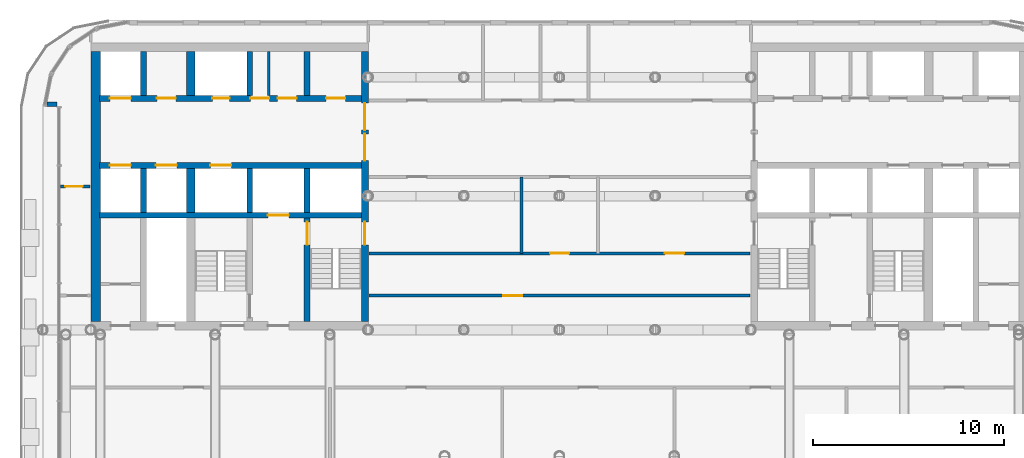
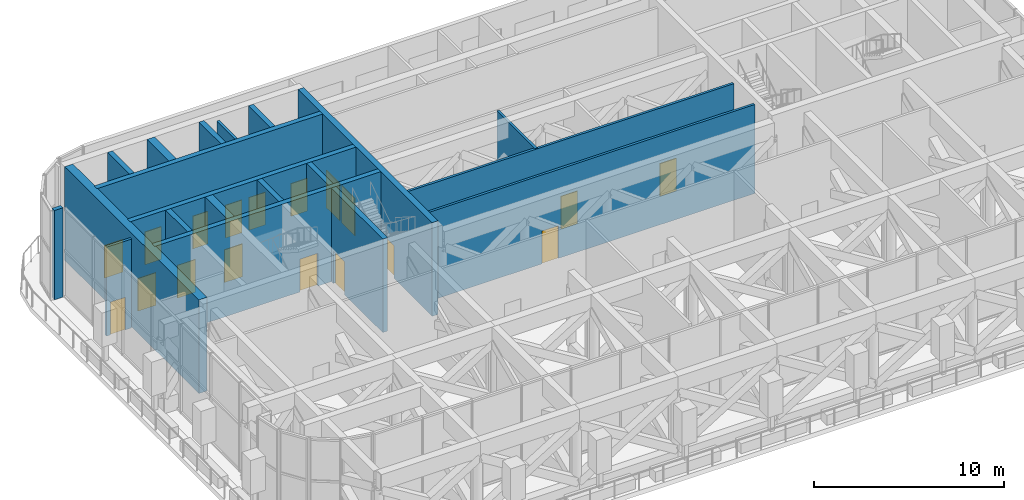
# One storey, part 12 of 20: 20 walls, 18 doors, 18 openings.
"""IFC4 building model written with IfcOpenShell, lengths in metres."""

from ifc_helpers import new_model, si_unit, direction, frame, frame_2d, origin, place, context, subcontext, project, spatial, rectangle, extrude, material, layer, layer_set, type_object, element, fill, save


model = new_model("IFC4")

# Units and contexts
model_context = context("Model", 3, precision=1e-05, world=origin(), true_north=direction((0.0, 1.0)))
body_context = subcontext(model_context, "Body", "Model", "MODEL_VIEW")
ifc_project = project(units=[si_unit("LENGTHUNIT", "METRE"), si_unit("AREAUNIT", "SQUARE_METRE"), si_unit("VOLUMEUNIT", "CUBIC_METRE"), si_unit("PLANEANGLEUNIT", "RADIAN"), si_unit("MASSUNIT", "GRAM", prefix="KILO")], contexts=[model_context])

# Site, building, storey
site_placement = place(None, origin())
site = spatial("IfcSite", under=ifc_project, at=site_placement, CompositionType="ELEMENT")
building_placement = place(site_placement, origin())
building = spatial("IfcBuilding", under=site, at=building_placement, Name="Torana Hotel and Residences", CompositionType="ELEMENT")
storey_placement = place(building_placement, frame((0.0, 0.0, 177.60009765625)))
storey = spatial("IfcBuildingStorey", under=building, at=storey_placement, Name="L46", CompositionType="ELEMENT", Elevation=177.60009765625)

# Wall, openings, doors
ifc_material_1 = material(Name="Concrete C70/85", Category="concrete")
ifc_layer_1 = layer(ifc_material_1, 0.300048828125)
ifc_layer_set_1 = layer_set([ifc_layer_1], Name="CORE WALL 300 C70/85")
wall_type_1 = type_object("IfcWallType", Name="CORE WALL 300 C70/85", PredefinedType="SHEAR", material=ifc_layer_set_1)
wall_1_placement = place(storey_placement, frame((-24.050048828125, -2.89990234375, 0.0), z_axis=(0.0, 0.0, 1.0), x_axis=(1.0, 0.0, 0.0)))
wall_1 = element("IfcWall", 1, at=wall_1_placement, inside=storey, type_object=wall_type_1, Name="Core wall W row-N", PredefinedType="SHEAR", context=body_context, shape_type="SweptSolid", body=[
    extrude(rectangle(XDim=13.699951171875, YDim=0.300048828125, at=frame_2d((6.85009765625, 0.0))), origin(), (0.0, 0.0, 1.0), 6.0),
])
opening_1_placement = place(wall_1_placement, frame((0.550048828125, 0.0, 0.0)))
opening_1 = element("IfcOpeningElement", 2, at=opening_1_placement, cuts=wall_1, Name="Opening LD", PredefinedType="OPENING", context=body_context, shape_type="SweptSolid", body=[
    extrude(rectangle(XDim=1.10009765625, YDim=2.10009765625, at=frame_2d((0.550048828125, 1.050048828125))), frame((0.0, 0.159912109375, 0.0), z_axis=(0.0, -1.0, 0.0), x_axis=(1.0, 0.0, 0.0)), (0.0, 0.0, 1.0), 0.320068359375),
])
opening_2_placement = place(wall_1_placement, frame((5.89990234375, 0.0, 0.0)))
opening_2 = element("IfcOpeningElement", 3, at=opening_2_placement, cuts=wall_1, Name="Opening L46-08", PredefinedType="OPENING", context=body_context, shape_type="SweptSolid", body=[
    extrude(rectangle(XDim=0.89990234375, YDim=2.10009765625, at=frame_2d((0.449951171875, 1.050048828125))), frame((0.0, 0.159912109375, 0.0), z_axis=(0.0, -1.0, 0.0), x_axis=(1.0, 0.0, 0.0)), (0.0, 0.0, 1.0), 0.320068359375),
])
opening_3_placement = place(wall_1_placement, frame((11.85009765625, 0.0, 0.0)))
opening_3 = element("IfcOpeningElement", 4, at=opening_3_placement, cuts=wall_1, Name="Opening L46-09", PredefinedType="OPENING", context=body_context, shape_type="SweptSolid", body=[
    extrude(rectangle(XDim=1.0, YDim=2.10009765625, at=frame_2d((0.5, 1.050048828125))), frame((0.0, 0.159912109375, 0.0), z_axis=(0.0, -1.0, 0.0), x_axis=(1.0, 0.0, 0.0)), (0.0, 0.0, 1.0), 0.320068359375),
])
opening_4_placement = place(wall_1_placement, frame((9.3125, 0.0, 0.0)))
opening_4 = element("IfcOpeningElement", 5, at=opening_4_placement, cuts=wall_1, Name="Opening L46-10", PredefinedType="OPENING", context=body_context, shape_type="SweptSolid", body=[
    extrude(rectangle(XDim=1.0, YDim=2.10009765625, at=frame_2d((0.5, 1.050048828125))), frame((0.0, 0.159912109375, 0.0), z_axis=(0.0, -1.0, 0.0), x_axis=(1.0, 0.0, 0.0)), (0.0, 0.0, 1.0), 0.320068359375),
])
opening_5_placement = place(wall_1_placement, frame((7.887451171875, 0.0, 0.0)))
opening_5 = element("IfcOpeningElement", 6, at=opening_5_placement, cuts=wall_1, Name="Opening L46-11", PredefinedType="OPENING", context=body_context, shape_type="SweptSolid", body=[
    extrude(rectangle(XDim=1.0, YDim=2.10009765625, at=frame_2d((0.5, 1.050048828125))), frame((0.0, 0.159912109375, 0.0), z_axis=(0.0, -1.0, 0.0), x_axis=(1.0, 0.0, 0.0)), (0.0, 0.0, 1.0), 0.320068359375),
])
opening_6_placement = place(wall_1_placement, frame((3.0, 0.0, 0.0)))
opening_6 = element("IfcOpeningElement", 7, at=opening_6_placement, cuts=wall_1, Name="Opening L46-12", PredefinedType="OPENING", context=body_context, shape_type="SweptSolid", body=[
    extrude(rectangle(XDim=1.0, YDim=2.10009765625, at=frame_2d((0.5, 1.050048828125))), frame((0.0, 0.159912109375, 0.0), z_axis=(0.0, -1.0, 0.0), x_axis=(1.0, 0.0, 0.0)), (0.0, 0.0, 1.0), 0.320068359375),
])
ifc_material_2 = material(Name="Steel S235", Category="steel")
door_type_1 = type_object("IfcDoorType", Name="CORE ROOM FIRE DOOR D14 1000x2100", OperationType="SINGLE_SWING_LEFT", PredefinedType="DOOR", material=ifc_material_2)
door_1_placement = place(opening_3_placement, origin())
door_1 = element("IfcDoor", 8, at=door_1_placement, inside=storey, type_object=door_type_1, Name="N0 door L46", OperationType="SINGLE_SWING_RIGHT", OverallHeight=2.10009765625, OverallWidth=1.0, PredefinedType="DOOR", context=body_context, shape_type="SweptSolid", body=[
    extrude(rectangle(XDim=1.0, YDim=2.10009765625, at=frame_2d((0.5, 1.050048828125))), frame((0.0, 0.02490234375, 0.0), z_axis=(0.0, -1.0, 0.0), x_axis=(1.0, 0.0, 0.0)), (0.0, 0.0, 1.0), 0.050048828125),
])
fill(opening_3, door_1)
door_2_placement = place(opening_4_placement, origin())
door_2 = element("IfcDoor", 9, at=door_2_placement, inside=storey, type_object=door_type_1, Name="N1A door L46", OperationType="SINGLE_SWING_RIGHT", OverallHeight=2.10009765625, OverallWidth=1.0, PredefinedType="DOOR", context=body_context, shape_type="SweptSolid", body=[
    extrude(rectangle(XDim=1.0, YDim=2.10009765625, at=frame_2d((0.5, 1.050048828125))), frame((0.0, 0.02490234375, 0.0), z_axis=(0.0, -1.0, 0.0), x_axis=(1.0, 0.0, 0.0)), (0.0, 0.0, 1.0), 0.050048828125),
])
fill(opening_4, door_2)
door_3_placement = place(opening_5_placement, origin())
door_3 = element("IfcDoor", 10, at=door_3_placement, inside=storey, type_object=door_type_1, Name="N1B door L46", OperationType="SINGLE_SWING_RIGHT", OverallHeight=2.10009765625, OverallWidth=1.0, PredefinedType="DOOR", context=body_context, shape_type="SweptSolid", body=[
    extrude(rectangle(XDim=1.0, YDim=2.10009765625, at=frame_2d((0.5, 1.050048828125))), frame((0.0, 0.02490234375, 0.0), z_axis=(0.0, -1.0, 0.0), x_axis=(1.0, 0.0, 0.0)), (0.0, 0.0, 1.0), 0.050048828125),
])
fill(opening_5, door_3)
door_4_placement = place(opening_6_placement, origin())
door_4 = element("IfcDoor", 11, at=door_4_placement, inside=storey, type_object=door_type_1, Name="Freed-S1 door L46", OperationType="SINGLE_SWING_RIGHT", OverallHeight=2.10009765625, OverallWidth=1.0, PredefinedType="DOOR", context=body_context, shape_type="SweptSolid", body=[
    extrude(rectangle(XDim=1.0, YDim=2.10009765625, at=frame_2d((0.5, 1.050048828125))), frame((0.0, 0.02490234375, 0.0), z_axis=(0.0, -1.0, 0.0), x_axis=(1.0, 0.0, 0.0)), (0.0, 0.0, 1.0), 0.050048828125),
])
fill(opening_6, door_4)
ifc_material_3 = material(Name="Stainless steel 316", Category="steel")
door_type_2 = type_object("IfcDoorType", Name="LIFT LANDING DOOR LD 1100x2100", OperationType="DOUBLE_DOOR_SLIDING", PredefinedType="USERDEFINED", material=ifc_material_3)
door_5_placement = place(opening_1_placement, origin())
door_5 = element("IfcDoor", 12, at=door_5_placement, inside=storey, type_object=door_type_2, Name="Lift landing door M1 L46", ObjectType="LIFT LANDING DOOR", OperationType="DOUBLE_DOOR_SLIDING", OverallHeight=2.10009765625, OverallWidth=1.10009765625, PredefinedType="USERDEFINED", context=body_context, shape_type="SweptSolid", body=[
    extrude(rectangle(XDim=1.10009765625, YDim=2.10009765625, at=frame_2d((0.550048828125, 1.050048828125))), frame((0.0, 0.02490234375, 0.0), z_axis=(0.0, -1.0, 0.0), x_axis=(1.0, 0.0, 0.0)), (0.0, 0.0, 1.0), 0.050048828125),
])
fill(opening_1, door_5)
ifc_material_4 = material(Name="Steel S235", Category="steel")
door_type_3 = type_object("IfcDoorType", Name="RISER ACCESS DOOR D5 900x2100", OperationType="SINGLE_SWING_LEFT", PredefinedType="DOOR", material=ifc_material_4)
door_6_placement = place(opening_2_placement, origin())
door_6 = element("IfcDoor", 13, at=door_6_placement, inside=storey, type_object=door_type_3, Name="N2 door L46", OperationType="SINGLE_SWING_RIGHT", OverallHeight=2.10009765625, OverallWidth=0.89990234375, PredefinedType="DOOR", context=body_context, shape_type="SweptSolid", body=[
    extrude(rectangle(XDim=0.89990234375, YDim=2.10009765625, at=frame_2d((0.449951171875, 1.050048828125))), frame((0.0, 0.02490234375, 0.0), z_axis=(0.0, -1.0, 0.0), x_axis=(1.0, 0.0, 0.0)), (0.0, 0.0, 1.0), 0.050048828125),
])
fill(opening_2, door_6)

wall_2_placement = place(storey_placement, frame((-24.050048828125, -6.39990234375, 0.0), z_axis=(0.0, 0.0, 1.0), x_axis=(1.0, 0.0, 0.0)))
wall_2 = element("IfcWall", 14, at=wall_2_placement, inside=storey, type_object=wall_type_1, Name="Core wall W row-S", PredefinedType="SHEAR", context=body_context, shape_type="SweptSolid", body=[
    extrude(rectangle(XDim=13.699951171875, YDim=0.300048828125, at=frame_2d((6.85009765625, 0.0))), origin(), (0.0, 0.0, 1.0), 6.0),
])
opening_7_placement = place(wall_2_placement, frame((2.949951171875, 0.0, 0.0)))
opening_7 = element("IfcOpeningElement", 15, at=opening_7_placement, cuts=wall_2, Name="Opening LD", PredefinedType="OPENING", context=body_context, shape_type="SweptSolid", body=[
    extrude(rectangle(XDim=1.10009765625, YDim=2.10009765625, at=frame_2d((0.550048828125, 1.050048828125))), frame((0.0, 0.159912109375, 0.0), z_axis=(0.0, -1.0, 0.0), x_axis=(1.0, 0.0, 0.0)), (0.0, 0.0, 1.0), 0.320068359375),
])
opening_8_placement = place(wall_2_placement, frame((0.550048828125, 0.0, 0.0)))
opening_8 = element("IfcOpeningElement", 16, at=opening_8_placement, cuts=wall_2, Name="Opening LD", PredefinedType="OPENING", context=body_context, shape_type="SweptSolid", body=[
    extrude(rectangle(XDim=1.10009765625, YDim=2.10009765625, at=frame_2d((0.550048828125, 1.050048828125))), frame((0.0, 0.159912109375, 0.0), z_axis=(0.0, -1.0, 0.0), x_axis=(1.0, 0.0, 0.0)), (0.0, 0.0, 1.0), 0.320068359375),
])
opening_9_placement = place(wall_2_placement, frame((5.800048828125, 0.0, 0.0)))
opening_9 = element("IfcOpeningElement", 17, at=opening_9_placement, cuts=wall_2, Name="Opening LD", PredefinedType="OPENING", context=body_context, shape_type="SweptSolid", body=[
    extrude(rectangle(XDim=1.10009765625, YDim=2.10009765625, at=frame_2d((0.550048828125, 1.050048828125))), frame((0.0, 0.159912109375, 0.0), z_axis=(0.0, -1.0, 0.0), x_axis=(1.0, 0.0, 0.0)), (0.0, 0.0, 1.0), 0.320068359375),
])
door_7_placement = place(opening_7_placement, origin())
door_7 = element("IfcDoor", 18, at=door_7_placement, inside=storey, type_object=door_type_2, Name="Lift landing door S3 L46", ObjectType="LIFT LANDING DOOR", OperationType="DOUBLE_DOOR_SLIDING", OverallHeight=2.10009765625, OverallWidth=1.10009765625, PredefinedType="USERDEFINED", context=body_context, shape_type="SweptSolid", body=[
    extrude(rectangle(XDim=1.10009765625, YDim=2.10009765625, at=frame_2d((0.550048828125, 1.050048828125))), frame((0.0, 0.02490234375, 0.0), z_axis=(0.0, -1.0, 0.0), x_axis=(1.0, 0.0, 0.0)), (0.0, 0.0, 1.0), 0.050048828125),
])
fill(opening_7, door_7)
door_8_placement = place(opening_8_placement, origin())
door_8 = element("IfcDoor", 19, at=door_8_placement, inside=storey, type_object=door_type_2, Name="Lift landing door M2 L46", ObjectType="LIFT LANDING DOOR", OperationType="DOUBLE_DOOR_SLIDING", OverallHeight=2.10009765625, OverallWidth=1.10009765625, PredefinedType="USERDEFINED", context=body_context, shape_type="SweptSolid", body=[
    extrude(rectangle(XDim=1.10009765625, YDim=2.10009765625, at=frame_2d((0.550048828125, 1.050048828125))), frame((0.0, 0.02490234375, 0.0), z_axis=(0.0, -1.0, 0.0), x_axis=(1.0, 0.0, 0.0)), (0.0, 0.0, 1.0), 0.050048828125),
])
fill(opening_8, door_8)
door_9_placement = place(opening_9_placement, origin())
door_9 = element("IfcDoor", 20, at=door_9_placement, inside=storey, type_object=door_type_2, Name="Lift landing door SV1 L46", ObjectType="LIFT LANDING DOOR", OperationType="DOUBLE_DOOR_SLIDING", OverallHeight=2.10009765625, OverallWidth=1.10009765625, PredefinedType="USERDEFINED", context=body_context, shape_type="SweptSolid", body=[
    extrude(rectangle(XDim=1.10009765625, YDim=2.10009765625, at=frame_2d((0.550048828125, 1.050048828125))), frame((0.0, 0.02490234375, 0.0), z_axis=(0.0, -1.0, 0.0), x_axis=(1.0, 0.0, 0.0)), (0.0, 0.0, 1.0), 0.050048828125),
])
fill(opening_9, door_9)

# Wall, opening, door
wall_3_placement = place(storey_placement, frame((-24.050048828125, -9.0, 0.0), z_axis=(0.0, 0.0, 1.0), x_axis=(1.0, 0.0, 0.0)))
wall_3 = element("IfcWall", 21, at=wall_3_placement, inside=storey, type_object=wall_type_1, Name="Core wall W band", PredefinedType="SHEAR", context=body_context, shape_type="SweptSolid", body=[
    extrude(rectangle(XDim=13.699951171875, YDim=0.300048828125, at=frame_2d((6.85009765625, 0.0))), origin(), (0.0, 0.0, 1.0), 6.0),
])
opening_10_placement = place(wall_3_placement, frame((8.800048828125, 0.0, 0.0)))
opening_10 = element("IfcOpeningElement", 22, at=opening_10_placement, cuts=wall_3, Name="Opening LD", PredefinedType="OPENING", context=body_context, shape_type="SweptSolid", body=[
    extrude(rectangle(XDim=1.10009765625, YDim=2.10009765625, at=frame_2d((0.550048828125, 1.050048828125))), frame((0.0, 0.159912109375, 0.0), z_axis=(0.0, -1.0, 0.0), x_axis=(1.0, 0.0, 0.0)), (0.0, 0.0, 1.0), 0.320068359375),
])
door_10_placement = place(opening_10_placement, origin())
door_10 = element("IfcDoor", 23, at=door_10_placement, inside=storey, type_object=door_type_2, Name="Lift landing door FF1 L46", ObjectType="LIFT LANDING DOOR", OperationType="DOUBLE_DOOR_SLIDING", OverallHeight=2.10009765625, OverallWidth=1.10009765625, PredefinedType="USERDEFINED", context=body_context, shape_type="SweptSolid", body=[
    extrude(rectangle(XDim=1.10009765625, YDim=2.10009765625, at=frame_2d((0.550048828125, 1.050048828125))), frame((0.0, 0.02490234375, 0.0), z_axis=(0.0, -1.0, 0.0), x_axis=(1.0, 0.0, 0.0)), (0.0, 0.0, 1.0), 0.050048828125),
])
fill(opening_10, door_10)

# Walls
for number, where, z_axis, x_axis, name in (
    (24, (-13.199951171875, -2.75, 0.0), (0.0, 0.0, 1.0), (0.0, 1.0, 0.0), "Core wall W x3.05-N"),
    (25, (-13.199951171875, -8.85009765625, 0.0), (0.0, 0.0, 1.0), (0.0, 1.0, 0.0), "Core wall W x3.05-S"),
):
    element("IfcWall", number, at=place(storey_placement, frame(where, z_axis=z_axis, x_axis=x_axis)), inside=storey, type_object=wall_type_1, Name=name, PredefinedType="SHEAR", context=body_context, shape_type="SweptSolid", body=[
        extrude(rectangle(XDim=2.300048828125, YDim=0.300048828125, at=frame_2d((1.14990234375, 0.0))), origin(), (0.0, 0.0, 1.0), 6.0),
    ])

# Wall, opening, door
wall_4_placement = place(storey_placement, frame((-13.199951171875, -14.550048828125, 0.0), z_axis=(0.0, 0.0, 1.0), x_axis=(0.0, 1.0, 0.0)))
wall_4 = element("IfcWall", 26, at=wall_4_placement, inside=storey, type_object=wall_type_1, Name="Core wall W x3.05-band", PredefinedType="SHEAR", context=body_context, shape_type="SweptSolid", body=[
    extrude(rectangle(XDim=5.400146484375, YDim=0.300048828125, at=frame_2d((2.7001953125, 0.0))), origin(), (0.0, 0.0, 1.0), 6.0),
])
opening_11_placement = place(wall_4_placement, frame((4.0, 0.0, 0.0)))
opening_11 = element("IfcOpeningElement", 27, at=opening_11_placement, cuts=wall_4, Name="Opening L46-13", PredefinedType="OPENING", context=body_context, shape_type="SweptSolid", body=[
    extrude(rectangle(XDim=1.199951171875, YDim=2.10009765625, at=frame_2d((0.60009765625, 1.050048828125))), frame((0.0, 0.159912109375, 0.0), z_axis=(0.0, -1.0, 0.0), x_axis=(1.0, 0.0, 0.0)), (0.0, 0.0, 1.0), 0.320068359375),
])
ifc_material_5 = material(Name="Steel S235", Category="steel")
door_type_4 = type_object("IfcDoorType", Name="STAIR FIRE DOOR D3 1200x2100", OperationType="SINGLE_SWING_LEFT", PredefinedType="DOOR", material=ifc_material_5)
door_11_placement = place(opening_11_placement, frame((0.60009765625, 0.0, 0.0), z_axis=(0.0, 0.0, 1.0), x_axis=(-1.0, 0.0, 0.0)))
door_11 = element("IfcDoor", 28, at=door_11_placement, inside=storey, type_object=door_type_4, Name="Stair-A-lobby door L46", OperationType="SINGLE_SWING_RIGHT", OverallHeight=2.10009765625, OverallWidth=1.199951171875, PredefinedType="DOOR", context=body_context, shape_type="SweptSolid", body=[
    extrude(rectangle(XDim=1.199951171875, YDim=2.10009765625, at=frame_2d((0.0, 1.050048828125))), frame((0.0, -0.02490234375, 0.0), z_axis=(0.0, 1.0, 0.0), x_axis=(-1.0, 0.0, 0.0)), (0.0, 0.0, 1.0), 0.050048828125),
])
fill(opening_11, door_11)

# Walls
for number, where, z_axis, x_axis, name in (
    (29, (-16.199951171875, -2.75, 0.0), (0.0, 0.0, 1.0), (0.0, 1.0, 0.0), "Core wall W x6.05-N"),
    (30, (-16.199951171875, -8.85009765625, 0.0), (0.0, 0.0, 1.0), (0.0, 1.0, 0.0), "Core wall W x6.05-S"),
    (31, (-21.75, -2.75, 0.0), (0.0, 0.0, 1.0), (0.0, 1.0, 0.0), "Core wall W mm-N"),
    (32, (-21.75, -8.85009765625, 0.0), (0.0, 0.0, 1.0), (0.0, 1.0, 0.0), "Core wall W mm-S"),
):
    element("IfcWall", number, at=place(storey_placement, frame(where, z_axis=z_axis, x_axis=x_axis)), inside=storey, type_object=wall_type_1, Name=name, PredefinedType="SHEAR", context=body_context, shape_type="SweptSolid", body=[
        extrude(rectangle(XDim=2.300048828125, YDim=0.300048828125, at=frame_2d((1.14990234375, 0.0))), origin(), (0.0, 0.0, 1.0), 6.0),
    ])

# Wall, openings, doors
ifc_material_6 = material(Name="Concrete C70/85", Category="concrete")
ifc_layer_2 = layer(ifc_material_6, 0.35009765625)
ifc_layer_set_2 = layer_set([ifc_layer_2], Name="CORE WALL 350 C70/85")
wall_type_2 = type_object("IfcWallType", Name="CORE WALL 350 C70/85", PredefinedType="SHEAR", material=ifc_layer_set_2)
wall_5_placement = place(storey_placement, frame((-10.175048828125, -14.550048828125, 0.0), z_axis=(0.0, 0.0, 1.0), x_axis=(0.0, 1.0, 0.0)))
wall_5 = element("IfcWall", 33, at=wall_5_placement, inside=storey, type_object=wall_type_2, Name="Core wall W arch", PredefinedType="SHEAR", context=body_context, shape_type="SweptSolid", body=[
    extrude(rectangle(XDim=14.10009765625, YDim=0.35009765625, at=frame_2d((7.050048828125, 0.0))), origin(), (0.0, 0.0, 1.0), 6.0),
])
opening_12_placement = place(wall_5_placement, frame((8.39990234375, 0.0, 0.0)))
opening_12 = element("IfcOpeningElement", 34, at=opening_12_placement, cuts=wall_5, Name="Opening L46-01", PredefinedType="OPENING", context=body_context, shape_type="SweptSolid", body=[
    extrude(rectangle(XDim=1.39990234375, YDim=2.39990234375, at=frame_2d((0.699951171875, 1.199951171875))), frame((0.0, 0.18505859375, 0.0), z_axis=(0.0, -1.0, 0.0), x_axis=(1.0, 0.0, 0.0)), (0.0, 0.0, 1.0), 0.3701171875),
])
opening_13_placement = place(wall_5_placement, frame((10.0, 0.0, 0.0)))
opening_13 = element("IfcOpeningElement", 35, at=opening_13_placement, cuts=wall_5, Name="Opening L46-02", PredefinedType="OPENING", context=body_context, shape_type="SweptSolid", body=[
    extrude(rectangle(XDim=1.39990234375, YDim=2.39990234375, at=frame_2d((0.699951171875, 1.199951171875))), frame((0.0, 0.18505859375, 0.0), z_axis=(0.0, -1.0, 0.0), x_axis=(1.0, 0.0, 0.0)), (0.0, 0.0, 1.0), 0.3701171875),
])
opening_14_placement = place(wall_5_placement, frame((4.0, 0.0, 0.0)))
opening_14 = element("IfcOpeningElement", 36, at=opening_14_placement, cuts=wall_5, Name="Opening L46-03", PredefinedType="OPENING", context=body_context, shape_type="SweptSolid", body=[
    extrude(rectangle(XDim=1.199951171875, YDim=2.10009765625, at=frame_2d((0.60009765625, 1.050048828125))), frame((0.0, 0.18505859375, 0.0), z_axis=(0.0, -1.0, 0.0), x_axis=(1.0, 0.0, 0.0)), (0.0, 0.0, 1.0), 0.3701171875),
])
ifc_material_7 = material(Name="Steel S235", Category="steel")
door_type_5 = type_object("IfcDoorType", Name="LOBBY FIRE DOOR D4 1400x2400", OperationType="DOUBLE_DOOR_SINGLE_SWING", PredefinedType="DOOR", material=ifc_material_7)
door_12_placement = place(opening_12_placement, origin())
door_12 = element("IfcDoor", 37, at=door_12_placement, inside=storey, type_object=door_type_5, Name="Lobby-1 door L46", OperationType="DOUBLE_DOOR_SINGLE_SWING", OverallHeight=2.39990234375, OverallWidth=1.39990234375, PredefinedType="DOOR", context=body_context, shape_type="SweptSolid", body=[
    extrude(rectangle(XDim=1.39990234375, YDim=2.39990234375, at=frame_2d((0.699951171875, 1.199951171875))), frame((0.0, 0.02490234375, 0.0), z_axis=(0.0, -1.0, 0.0), x_axis=(1.0, 0.0, 0.0)), (0.0, 0.0, 1.0), 0.050048828125),
])
fill(opening_12, door_12)
door_13_placement = place(opening_13_placement, origin())
door_13 = element("IfcDoor", 38, at=door_13_placement, inside=storey, type_object=door_type_5, Name="Lobby-2 door L46", OperationType="DOUBLE_DOOR_SINGLE_SWING", OverallHeight=2.39990234375, OverallWidth=1.39990234375, PredefinedType="DOOR", context=body_context, shape_type="SweptSolid", body=[
    extrude(rectangle(XDim=1.39990234375, YDim=2.39990234375, at=frame_2d((0.699951171875, 1.199951171875))), frame((0.0, 0.02490234375, 0.0), z_axis=(0.0, -1.0, 0.0), x_axis=(1.0, 0.0, 0.0)), (0.0, 0.0, 1.0), 0.050048828125),
])
fill(opening_13, door_13)
door_14_placement = place(opening_14_placement, origin())
door_14 = element("IfcDoor", 39, at=door_14_placement, inside=storey, type_object=door_type_4, Name="Stair-A door L46", OperationType="SINGLE_SWING_LEFT", OverallHeight=2.10009765625, OverallWidth=1.199951171875, PredefinedType="DOOR", context=body_context, shape_type="SweptSolid", body=[
    extrude(rectangle(XDim=1.199951171875, YDim=2.10009765625, at=frame_2d((0.60009765625, 1.050048828125))), frame((0.0, 0.02490234375, 0.0), z_axis=(0.0, -1.0, 0.0), x_axis=(1.0, 0.0, 0.0)), (0.0, 0.0, 1.0), 0.050048828125),
])
fill(opening_14, door_14)

# Walls
ifc_material_8 = material(Name="Concrete C70/85", Category="concrete")
ifc_layer_3 = layer(ifc_material_8, 0.449951171875)
ifc_layer_set_3 = layer_set([ifc_layer_3], Name="CORE WALL 450 C70/85")
wall_type_3 = type_object("IfcWallType", Name="CORE WALL 450 C70/85", PredefinedType="SHEAR", material=ifc_layer_set_3)
for number, where, z_axis, x_axis, name in (
    (40, (-19.27490234375, -2.75, 0.0), (0.0, 0.0, 1.0), (0.0, 1.0, 0.0), "Core wall W hm-N"),
    (41, (-19.27490234375, -8.85009765625, 0.0), (0.0, 0.0, 1.0), (0.0, 1.0, 0.0), "Core wall W hm-S"),
):
    element("IfcWall", number, at=place(storey_placement, frame(where, z_axis=z_axis, x_axis=x_axis)), inside=storey, type_object=wall_type_3, Name=name, PredefinedType="SHEAR", context=body_context, shape_type="SweptSolid", body=[
        extrude(rectangle(XDim=2.300048828125, YDim=0.449951171875, at=frame_2d((1.14990234375, 0.0))), origin(), (0.0, 0.0, 1.0), 6.0),
    ])
ifc_material_9 = material(Name="Concrete C70/85", Category="concrete")
ifc_layer_4 = layer(ifc_material_9, 0.5)
ifc_layer_set_4 = layer_set([ifc_layer_4], Name="CORE WALL 500 C70/85")
wall_type_4 = type_object("IfcWallType", Name="CORE WALL 500 C70/85", PredefinedType="SHEAR", material=ifc_layer_set_4)
wall_6_placement = place(storey_placement, frame((-24.25, -14.550048828125, 0.0), z_axis=(0.0, 0.0, 1.0), x_axis=(0.0, 1.0, 0.0)))
element("IfcWall", 42, at=wall_6_placement, inside=storey, type_object=wall_type_4, Name="Core wall W outer", PredefinedType="SHEAR", context=body_context, shape_type="SweptSolid", body=[
    extrude(rectangle(XDim=14.10009765625, YDim=0.5, at=frame_2d((7.050048828125, 0.0))), origin(), (0.0, 0.0, 1.0), 6.0),
])
ifc_material_10 = material(Name="Black aluminium composite panel", Category="aluminium")
ifc_layer_5 = layer(ifc_material_10, 0.00390625, Name="Cladding", Category="cladding")
ifc_material_11 = material(Name="Ventilated air cavity")
ifc_layer_6 = layer(ifc_material_11, 0.0400390625, Name="Ventilated cavity", Category="cavity")
ifc_material_12 = material(Name="Mineral wool insulation")
ifc_layer_7 = layer(ifc_material_12, 0.090087890625, Name="Insulation", Category="insulation")
ifc_material_13 = material(Name="Steel S280GD", Category="steel")
ifc_layer_8 = layer(ifc_material_13, 0.092041015625, Name="Steel stud frame", Category="structure")
ifc_material_14 = material(Name="Fire rated plasterboard")
ifc_layer_9 = layer(ifc_material_14, 0.011962890625, Name="Inner board", Category="finish")
ifc_layer_10 = layer(ifc_material_14, 0.011962890625, Name="Second board", Category="finish")
ifc_layer_set_5 = layer_set([ifc_layer_5, ifc_layer_6, ifc_layer_7, ifc_layer_8, ifc_layer_9, ifc_layer_10], Name="EW1 EXTERNAL WALL BLACK METAL CLAD 250")
wall_type_5 = type_object("IfcWallType", Name="EW1 EXTERNAL WALL BLACK METAL CLAD 250", PredefinedType="SOLIDWALL", material=ifc_layer_set_5)
wall_7_placement = place(storey_placement, frame((-26.2548828125, -3.19970703125, 0.0), z_axis=(0.0, 0.0, 1.0), x_axis=(-1.0, 0.0, 0.0)))
element("IfcWall", 43, at=wall_7_placement, inside=storey, type_object=wall_type_5, Name="External wall L46 e0.9 return 1", PredefinedType="SOLIDWALL", context=body_context, shape_type="SweptSolid", body=[
    extrude(rectangle(XDim=0.525146484375, YDim=0.25, at=frame_2d((0.2626953125, 0.0))), origin(), (0.0, 0.0, 1.0), 5.719970703125),
])
ifc_material_15 = material(Name="Gypsum plaster")
ifc_layer_11 = layer(ifc_material_15, 0.014892578125, Name="Plaster", Category="finish")
ifc_material_16 = material(Name="Concrete blockwork", Category="masonry")
ifc_layer_12 = layer(ifc_material_16, 0.1201171875, Name="Blockwork", Category="structure")
ifc_layer_13 = layer(ifc_material_15, 0.014892578125, Name="Plaster", Category="finish")
ifc_layer_set_6 = layer_set([ifc_layer_11, ifc_layer_12, ifc_layer_13], Name="FIRE PARTITION 150 BLOCKWORK")
wall_type_6 = type_object("IfcWallType", Name="FIRE PARTITION 150 BLOCKWORK", PredefinedType="PARTITIONING", material=ifc_layer_set_6)
wall_8_placement = place(storey_placement, frame((-15.199951171875, -2.75, 0.0), z_axis=(0.0, 0.0, 1.0), x_axis=(0.0, 1.0, 0.0)))
element("IfcWall", 44, at=wall_8_placement, inside=storey, type_object=wall_type_6, Name="Core partition L46", PredefinedType="PARTITIONING", context=body_context, shape_type="SweptSolid", body=[
    extrude(rectangle(XDim=2.300048828125, YDim=0.14990234375, at=frame_2d((1.14990234375, 0.0))), origin(), (0.0, 0.0, 1.0), 5.699951171875),
])
wall_9_placement = place(storey_placement, frame((-2.0, -11.0, 0.0), z_axis=(0.0, 0.0, 1.0), x_axis=(0.0, 1.0, 0.0)))
element("IfcWall", 45, at=wall_9_placement, inside=storey, type_object=wall_type_6, Name="Partition L46", PredefinedType="PARTITIONING", context=body_context, shape_type="SweptSolid", body=[
    extrude(rectangle(XDim=4.0, YDim=0.14990234375, at=frame_2d((2.0, 0.0))), origin(), (0.0, 0.0, 1.0), 5.699951171875),
])

# Wall, opening, door
wall_10_placement = place(storey_placement, frame((-9.949951171875, -13.199951171875, 0.0), z_axis=(0.0, 0.0, 1.0), x_axis=(1.0, 0.0, 0.0)))
wall_10 = element("IfcWall", 46, at=wall_10_placement, inside=storey, type_object=wall_type_6, Name="Partition L46", PredefinedType="PARTITIONING", context=body_context, shape_type="SweptSolid", body=[
    extrude(rectangle(XDim=19.89990234375, YDim=0.14990234375, at=frame_2d((9.949951171875, 0.0))), origin(), (0.0, 0.0, 1.0), 5.699951171875),
])
opening_15_placement = place(wall_10_placement, frame((7.0, 0.0, 0.0)))
opening_15 = element("IfcOpeningElement", 47, at=opening_15_placement, cuts=wall_10, Name="Opening L46-31", PredefinedType="OPENING", context=body_context, shape_type="SweptSolid", body=[
    extrude(rectangle(XDim=1.0, YDim=2.10009765625, at=frame_2d((0.5, 1.050048828125))), frame((0.0, 0.0849609375, 0.0), z_axis=(0.0, -1.0, 0.0), x_axis=(1.0, 0.0, 0.0)), (0.0, 0.0, 1.0), 0.169921875),
])
ifc_material_17 = material(Name="Steel S235", Category="steel")
door_type_6 = type_object("IfcDoorType", Name="ENTRY FIRE DOOR D6 1000x2100", OperationType="SINGLE_SWING_LEFT", PredefinedType="DOOR", material=ifc_material_17)
door_15_placement = place(opening_15_placement, origin())
door_15 = element("IfcDoor", 48, at=door_15_placement, inside=storey, type_object=door_type_6, Name="Door L46", OperationType="SINGLE_SWING_RIGHT", OverallHeight=2.10009765625, OverallWidth=1.0, PredefinedType="DOOR", context=body_context, shape_type="SweptSolid", body=[
    extrude(rectangle(XDim=1.0, YDim=2.10009765625, at=frame_2d((0.5, 1.050048828125))), frame((0.0, 0.02490234375, 0.0), z_axis=(0.0, -1.0, 0.0), x_axis=(1.0, 0.0, 0.0)), (0.0, 0.0, 1.0), 0.050048828125),
])
fill(opening_15, door_15)

# Wall, openings, doors
wall_11_placement = place(storey_placement, frame((-9.949951171875, -11.0, 0.0), z_axis=(0.0, 0.0, 1.0), x_axis=(1.0, 0.0, 0.0)))
wall_11 = element("IfcWall", 49, at=wall_11_placement, inside=storey, type_object=wall_type_6, Name="Partition L46", PredefinedType="PARTITIONING", context=body_context, shape_type="SweptSolid", body=[
    extrude(rectangle(XDim=19.89990234375, YDim=0.14990234375, at=frame_2d((9.949951171875, 0.0))), origin(), (0.0, 0.0, 1.0), 5.699951171875),
])
opening_16_placement = place(wall_11_placement, frame((9.449951171875, 0.0, 0.0)))
opening_16 = element("IfcOpeningElement", 50, at=opening_16_placement, cuts=wall_11, Name="Opening L46-39", PredefinedType="OPENING", context=body_context, shape_type="SweptSolid", body=[
    extrude(rectangle(XDim=1.0, YDim=2.10009765625, at=frame_2d((0.5, 1.050048828125))), frame((0.0, 0.0849609375, 0.0), z_axis=(0.0, -1.0, 0.0), x_axis=(1.0, 0.0, 0.0)), (0.0, 0.0, 1.0), 0.169921875),
])
opening_17_placement = place(wall_11_placement, frame((15.449951171875, 0.0, 0.0)))
opening_17 = element("IfcOpeningElement", 51, at=opening_17_placement, cuts=wall_11, Name="Opening L46-40", PredefinedType="OPENING", context=body_context, shape_type="SweptSolid", body=[
    extrude(rectangle(XDim=1.0, YDim=2.10009765625, at=frame_2d((0.5, 1.050048828125))), frame((0.0, 0.0849609375, 0.0), z_axis=(0.0, -1.0, 0.0), x_axis=(1.0, 0.0, 0.0)), (0.0, 0.0, 1.0), 0.169921875),
])
door_16_placement = place(opening_16_placement, origin())
door_16 = element("IfcDoor", 52, at=door_16_placement, inside=storey, type_object=door_type_6, Name="Door L46", OperationType="SINGLE_SWING_RIGHT", OverallHeight=2.10009765625, OverallWidth=1.0, PredefinedType="DOOR", context=body_context, shape_type="SweptSolid", body=[
    extrude(rectangle(XDim=1.0, YDim=2.10009765625, at=frame_2d((0.5, 1.050048828125))), frame((0.0, 0.02490234375, 0.0), z_axis=(0.0, -1.0, 0.0), x_axis=(1.0, 0.0, 0.0)), (0.0, 0.0, 1.0), 0.050048828125),
])
fill(opening_16, door_16)
door_17_placement = place(opening_17_placement, origin())
door_17 = element("IfcDoor", 53, at=door_17_placement, inside=storey, type_object=door_type_6, Name="Door L46", OperationType="SINGLE_SWING_RIGHT", OverallHeight=2.10009765625, OverallWidth=1.0, PredefinedType="DOOR", context=body_context, shape_type="SweptSolid", body=[
    extrude(rectangle(XDim=1.0, YDim=2.10009765625, at=frame_2d((0.5, 1.050048828125))), frame((0.0, 0.02490234375, 0.0), z_axis=(0.0, -1.0, 0.0), x_axis=(1.0, 0.0, 0.0)), (0.0, 0.0, 1.0), 0.050048828125),
])
fill(opening_17, door_17)

# Wall, opening, door
ifc_material_18 = material(Name="Gypsum plasterboard")
ifc_layer_14 = layer(ifc_material_18, 0.012451171875, Name="Plasterboard", Category="finish")
ifc_layer_15 = layer(ifc_material_18, 0.012451171875, Name="Plasterboard", Category="finish")
ifc_layer_16 = layer(ifc_material_13, 0.10009765625, Name="Steel studs with mineral wool", Category="insulation")
ifc_layer_17 = layer(ifc_material_18, 0.012451171875, Name="Plasterboard", Category="finish")
ifc_layer_18 = layer(ifc_material_18, 0.012451171875, Name="Plasterboard", Category="finish")
ifc_layer_set_7 = layer_set([ifc_layer_14, ifc_layer_15, ifc_layer_16, ifc_layer_17, ifc_layer_18], Name="PARTITION 150 PLASTERBOARD")
wall_type_7 = type_object("IfcWallType", Name="PARTITION 150 PLASTERBOARD", PredefinedType="PARTITIONING", material=ifc_layer_set_7)
wall_12_placement = place(storey_placement, frame((-26.074951171875, -7.5, 0.0), z_axis=(0.0, 0.0, 1.0), x_axis=(1.0, 0.0, 0.0)))
wall_12 = element("IfcWall", 54, at=wall_12_placement, inside=storey, type_object=wall_type_7, Name="Partition L46", PredefinedType="PARTITIONING", context=body_context, shape_type="SweptSolid", body=[
    extrude(rectangle(XDim=1.52490234375, YDim=0.14990234375, at=frame_2d((0.762451171875, 0.0))), origin(), (0.0, 0.0, 1.0), 5.699951171875),
])
opening_18_placement = place(wall_12_placement, frame((0.248046875, 0.0, 0.0)))
opening_18 = element("IfcOpeningElement", 55, at=opening_18_placement, cuts=wall_12, Name="Opening L46-47", PredefinedType="OPENING", context=body_context, shape_type="SweptSolid", body=[
    extrude(rectangle(XDim=0.89990234375, YDim=2.10009765625, at=frame_2d((0.449951171875, 1.050048828125))), frame((0.0, 0.0849609375, 0.0), z_axis=(0.0, -1.0, 0.0), x_axis=(1.0, 0.0, 0.0)), (0.0, 0.0, 1.0), 0.169921875),
])
ifc_material_19 = material(Name="Timber door, oiled ash", Category="wood")
door_type_7 = type_object("IfcDoorType", Name="ROOM DOOR D7 900x2100", OperationType="SINGLE_SWING_LEFT", PredefinedType="DOOR", material=ifc_material_19)
door_18_placement = place(opening_18_placement, origin())
door_18 = element("IfcDoor", 56, at=door_18_placement, inside=storey, type_object=door_type_7, Name="Door L46", OperationType="SINGLE_SWING_RIGHT", OverallHeight=2.10009765625, OverallWidth=0.89990234375, PredefinedType="DOOR", context=body_context, shape_type="SweptSolid", body=[
    extrude(rectangle(XDim=0.89990234375, YDim=2.10009765625, at=frame_2d((0.449951171875, 1.050048828125))), frame((0.0, 0.02490234375, 0.0), z_axis=(0.0, -1.0, 0.0), x_axis=(1.0, 0.0, 0.0)), (0.0, 0.0, 1.0), 0.050048828125),
])
fill(opening_18, door_18)

save(model, "model.ifc")
